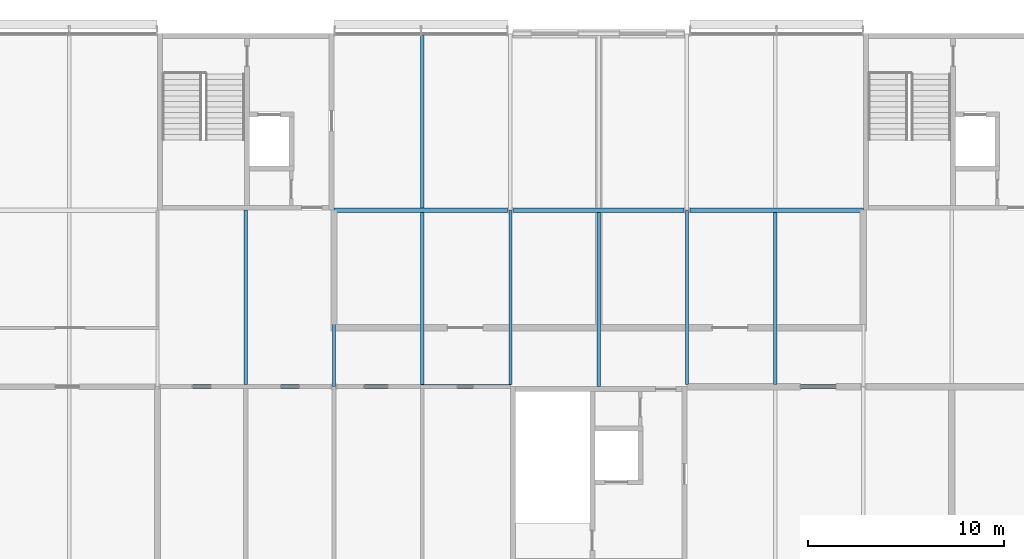
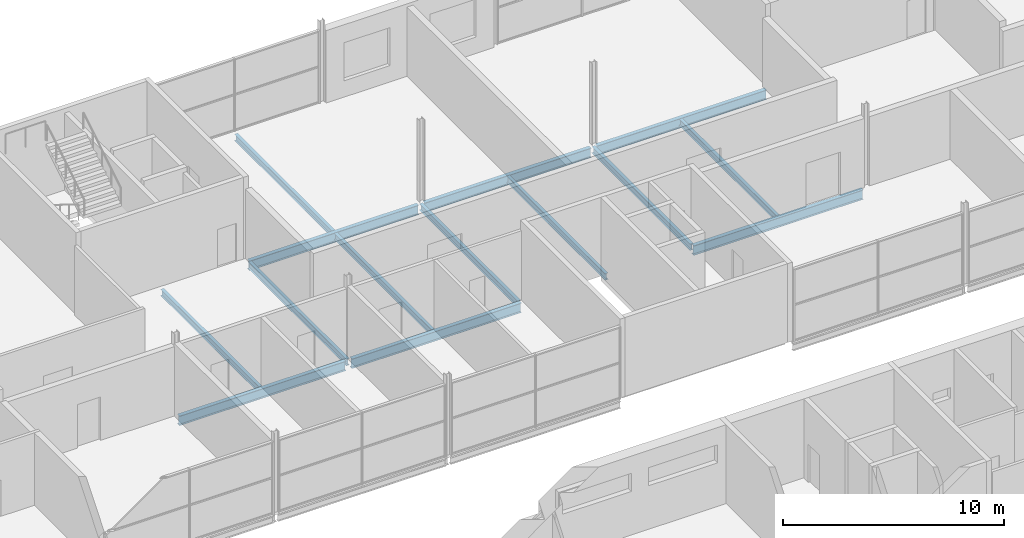
# One storey, part 70 of 138: 14 beams.
"""IFC4 building model written with IfcOpenShell, lengths in metres."""

import ifcopenshell
import ifcopenshell.guid

model = None  # the IFC model being written
_history = None  # IfcOwnerHistory: only IFC2X3 demands one
_inside = {}  # id of a spatial element -> (the spatial element, [elements in it])
_under = {}  # id of a project, library or spatial element -> (it, [spatial elements below it])
_declared = {}  # id of a project -> (the project, [libraries it declares])
_typed = {}  # id of a type object -> (the type object, [elements of that type])
_made_of = {}  # id of a material, layer set ... -> (it, [elements and type objects made of it])


def new_model(schema):
    """Start an empty IFC model of exactly this schema.

    Asked for "IFC4X3", IfcOpenShell would pick the latest addendum, in which some entities
    have other attributes; the version numbers below select the first issue.
    IFC2X3 requires an IfcOwnerHistory on every rooted entity: one is made here for all.
    """
    global model, _history
    if schema == "IFC4X3":
        model = ifcopenshell.file(schema_version=(4, 3, 0, 0))
    else:
        model = ifcopenshell.file(schema=schema)
    _inside.clear()
    _under.clear()
    _declared.clear()
    _typed.clear()
    _made_of.clear()
    _history = None
    if model.schema == "IFC2X3":
        org = make("IfcOrganization", Name="unknown")
        user = make(
            "IfcPersonAndOrganization",
            ThePerson=make("IfcPerson", FamilyName="unknown"),
            TheOrganization=org,
        )
        app = make(
            "IfcApplication",
            ApplicationDeveloper=org,
            Version="unknown",
            ApplicationFullName="unknown",
            ApplicationIdentifier="unknown",
        )
        _history = make(
            "IfcOwnerHistory",
            OwningUser=user,
            OwningApplication=app,
            ChangeAction="ADDED",
            CreationDate=0,
        )
    return model


def make(cls, **values):
    """One entity of the class cls with the attributes given. An attribute that is None is left unset."""
    return model.create_entity(
        cls, **{name: value for name, value in values.items() if value is not None}
    )


def rooted(cls, **values):
    """An entity with a GlobalId (a new one), such as an element, a storey or a relation."""
    return make(cls, GlobalId=ifcopenshell.guid.new(), OwnerHistory=_history, **values)


def si_unit(unit_type, name, prefix=None):
    """IfcSIUnit, for example si_unit("LENGTHUNIT", "METRE", prefix="MILLI")."""
    return make("IfcSIUnit", UnitType=unit_type, Prefix=prefix, Name=name)


def assignment(units):
    """IfcUnitAssignment: the units of a project."""
    return None if units is None else make("IfcUnitAssignment", Units=units)


def point(xyz):
    """IfcCartesianPoint."""
    return None if xyz is None else make("IfcCartesianPoint", Coordinates=xyz)


def direction(xyz):
    """IfcDirection."""
    return None if xyz is None else make("IfcDirection", DirectionRatios=xyz)


def frame(location, z_axis=None, x_axis=None):
    """IfcAxis2Placement3D, a coordinate frame: its origin and axes. An axis left out is left unset."""
    return make(
        "IfcAxis2Placement3D",
        Location=point(location),
        Axis=direction(z_axis),
        RefDirection=direction(x_axis),
    )


def frame_2d(location, x_axis=None):
    """IfcAxis2Placement2D, a coordinate frame in the plane: its origin and x axis."""
    return make(
        "IfcAxis2Placement2D", Location=point(location), RefDirection=direction(x_axis)
    )


def origin():
    """The frame at (0, 0, 0) with its axes left unset."""
    return frame((0.0, 0.0, 0.0))


def origin_2d():
    """The frame at (0, 0) in the plane with its x axis left unset."""
    return frame_2d((0.0, 0.0))


def place(relative_to, where):
    """IfcLocalPlacement: puts the frame where relative to a parent placement (None: the world)."""
    return make(
        "IfcLocalPlacement", PlacementRelTo=relative_to, RelativePlacement=where
    )


def context(
    kind, dimensions, precision=None, world=None, true_north=None, identifier=None
):
    """IfcGeometricRepresentationContext, for example the 3D "Model" context."""
    return make(
        "IfcGeometricRepresentationContext",
        ContextIdentifier=identifier,
        ContextType=kind,
        CoordinateSpaceDimension=dimensions,
        Precision=precision,
        WorldCoordinateSystem=world,
        TrueNorth=true_north,
    )


def subcontext(parent, identifier, kind, view, scale=None):
    """IfcGeometricRepresentationSubContext, for example "Body" below "Model"."""
    return make(
        "IfcGeometricRepresentationSubContext",
        ContextIdentifier=identifier,
        ContextType=kind,
        ParentContext=parent,
        TargetScale=scale,
        TargetView=view,
    )


def project(units=None, contexts=None):
    """IfcProject with its units and contexts."""
    return rooted(
        "IfcProject",
        Name="project",
        RepresentationContexts=contexts,
        UnitsInContext=assignment(units),
    )


def spatial(cls, under=None, at=None, **own):
    """A site, building, storey or space (cls), placed at a placement, below another one or the project."""
    s = rooted(cls, ObjectPlacement=at, **own)
    if under is not None:
        _under.setdefault(under.id(), (under, []))[1].append(s)
    return s


def profile(cls, at=None, kind="AREA", **sizes):
    """A parametric profile (cls). Its sizes go by their IFC names, for example OverallWidth=200.0."""
    return make(cls, ProfileType=kind, Position=at, **sizes)


def i_section(**sizes):
    """IfcIShapeProfileDef."""
    return profile("IfcIShapeProfileDef", **sizes)


def extrude(swept, where, along, depth):
    """IfcExtrudedAreaSolid: the profile swept, set in the frame where, extruded along a direction by depth."""
    return make(
        "IfcExtrudedAreaSolid",
        SweptArea=swept,
        Position=where,
        ExtrudedDirection=direction(along),
        Depth=depth,
    )


def shape(context_of_items, identifier, shape_type, items):
    """IfcShapeRepresentation: the items that make up one representation, for example the "Body"."""
    return make(
        "IfcShapeRepresentation",
        ContextOfItems=context_of_items,
        RepresentationIdentifier=identifier,
        RepresentationType=shape_type,
        Items=items,
    )


def material(Name=None, Category=None):
    """IfcMaterial."""
    return make("IfcMaterial", Name=Name, Category=Category)


def material_profile(
    of_material, cross_section, Name=None, Category=None, Priority=None
):
    """IfcMaterialProfile: a cross section and its material."""
    return make(
        "IfcMaterialProfile",
        Name=Name,
        Material=of_material,
        Profile=cross_section,
        Priority=Priority,
        Category=Category,
    )


def profile_set(profiles, Name=None, composite=None):
    """IfcMaterialProfileSet."""
    return make(
        "IfcMaterialProfileSet",
        Name=Name,
        MaterialProfiles=profiles,
        CompositeProfile=composite,
    )


def made_of(thing, what):
    """Note that an element or type object is made of a material, layer set ...; save() writes the relation."""
    if what is not None:
        _made_of.setdefault(what.id(), (what, []))[1].append(thing)
    return thing


def type_object(cls, material=None, **own):
    """A type object (cls), such as IfcWallType, which elements share."""
    return made_of(rooted(cls, **own), material)


def element(
    cls,
    number,
    at=None,
    inside=None,
    cuts=None,
    type_object=None,
    material=None,
    context=None,
    identifier="Body",
    shape_type=None,
    held_by="IfcProductDefinitionShape",
    body=None,
    shapes=None,
    **own,
):
    """One element of the class cls, such as IfcWall. Its Tag is "e" and its number.

    at: its placement. inside: the storey or other place that contains it. cuts: it is an
    opening in that element (IfcRelVoidsElement). A single representation is given by context,
    identifier, shape_type and body (its items); several are given by shapes. held_by: the class
    of the entity that holds the representations. save() writes the other relations.
    """
    e = rooted(cls, Tag="e%d" % number, ObjectPlacement=at, **own)
    if body is not None:
        shapes = [shape(context, identifier, shape_type, body)]
    if shapes is not None:
        e.Representation = make(held_by, Representations=shapes)
    if inside is not None:
        _inside.setdefault(inside.id(), (inside, []))[1].append(e)
    if cuts is not None:
        rooted(
            "IfcRelVoidsElement", RelatingBuildingElement=cuts, RelatedOpeningElement=e
        )
    if type_object is not None:
        _typed.setdefault(type_object.id(), (type_object, []))[1].append(e)
    return made_of(e, material)


def aggregate(whole, parts):
    """IfcRelAggregates: a whole, such as a stair, and the parts it consists of."""
    return rooted("IfcRelAggregates", RelatingObject=whole, RelatedObjects=parts)


def save(model, path):
    """Write the relations noted so far, then the file.

    IfcRelAggregates (storeys below a building ...), IfcRelContainedInSpatialStructure (elements
    in a storey), IfcRelDefinesByType, IfcRelAssociatesMaterial and IfcRelDeclares: one each for
    every whole, place, type object, material and project.
    """
    for whole, parts in _under.values():
        aggregate(whole, parts)
    for where, things in _inside.values():
        rooted(
            "IfcRelContainedInSpatialStructure",
            RelatedElements=things,
            RelatingStructure=where,
        )
    for kind, things in _typed.values():
        rooted("IfcRelDefinesByType", RelatedObjects=things, RelatingType=kind)
    for what, things in _made_of.values():
        rooted("IfcRelAssociatesMaterial", RelatedObjects=things, RelatingMaterial=what)
    for by, libraries in _declared.values():
        rooted("IfcRelDeclares", RelatingContext=by, RelatedDefinitions=libraries)
    model.write(path)


model = new_model("IFC4")

# Units and contexts
model_context = context("Model", 3, precision=1e-05, world=origin(), true_north=direction((0.0, 1.0)))
body_context = subcontext(model_context, "Body", "Model", "MODEL_VIEW")
ifc_project = project(units=[si_unit("LENGTHUNIT", "METRE"), si_unit("AREAUNIT", "SQUARE_METRE"), si_unit("VOLUMEUNIT", "CUBIC_METRE"), si_unit("PLANEANGLEUNIT", "RADIAN"), si_unit("MASSUNIT", "GRAM", prefix="KILO")], contexts=[model_context])

# Site, building, storey
site_placement = place(None, origin())
site = spatial("IfcSite", under=ifc_project, at=site_placement, CompositionType="ELEMENT")
building_placement = place(site_placement, origin())
building = spatial("IfcBuilding", under=site, at=building_placement, Name="Corbel Yard City Hall", CompositionType="ELEMENT")
storey_placement = place(building_placement, frame((0.0, 0.0, 10.5)))
storey = spatial("IfcBuildingStorey", under=building, at=storey_placement, Name="L02", CompositionType="ELEMENT", Elevation=10.5)

# Beams
ifc_material = material(Name="Steel Grade 300 (300 MPa yield)", Category="steel")
ifc_material_profile_1 = material_profile(ifc_material, i_section(OverallWidth=0.1708984375, OverallDepth=0.35595703125, WebThickness=0.00732421875, FlangeThickness=0.011474609375, at=origin_2d()), Name="360UB50.7")
ifc_profile_set_1 = profile_set([ifc_material_profile_1], Name="Steel Grade 300 (300 MPa yield)")
beam_type_1 = type_object("IfcBeamType", Name="Beam 360UB50.7", PredefinedType="BEAM", material=ifc_profile_set_1)
for number, where, z_axis, x_axis, name in (
    (1, (72.0, 99.005859375, -0.327880859375), (0.0, 1.0, 0.0), (-1.0, 0.0, 0.0), "Beam 360UB50.7 SB14 L02floor"),
    (2, (81.0, 99.1044921875, -0.327880859375), (0.0, 1.0, 0.0), (-1.0, 0.0, 0.0), "Beam 360UB50.7 SB14 L02floor"),
    (3, (90.0, 99.1044921875, -0.327880859375), (0.0, 1.0, 0.0), (-1.0, 0.0, 0.0), "Beam 360UB50.7 SB14 L02floor"),
):
    element("IfcBeam", number, at=place(storey_placement, frame(where, z_axis=z_axis, x_axis=x_axis)), inside=storey, type_object=beam_type_1, Name=name, PredefinedType="BEAM", context=body_context, shape_type="SweptSolid", body=[
        extrude(i_section(OverallWidth=0.1708984375, OverallDepth=0.35595703125, WebThickness=0.00732421875, FlangeThickness=0.011474609375, at=origin_2d()), origin(), (0.0, 0.0, 1.0), 8.8896484375),
    ])
ifc_material_profile_2 = material_profile(ifc_material, i_section(OverallWidth=0.208984375, OverallDepth=0.528076171875, WebThickness=0.009521484375, FlangeThickness=0.01318359375, at=origin_2d()), Name="530UB82.0")
ifc_profile_set_2 = profile_set([ifc_material_profile_2], Name="Steel Grade 300 (300 MPa yield)")
beam_type_2 = type_object("IfcBeamType", Name="Girder 530UB82.0", PredefinedType="BEAM", material=ifc_profile_set_2)
beam_1_placement = place(storey_placement, frame((63.157470703125, 99.0, -0.4140625), z_axis=(1.0, 0.0, 0.0), x_axis=(0.0, 1.0, 0.0)))
element("IfcBeam", 4, at=beam_1_placement, inside=storey, type_object=beam_type_2, Name="Girder 530UB82.0 GB3 L02floor", PredefinedType="BEAM", context=body_context, shape_type="SweptSolid", body=[
    extrude(i_section(OverallWidth=0.208984375, OverallDepth=0.528076171875, WebThickness=0.009521484375, FlangeThickness=0.01318359375, at=origin_2d()), origin(), (0.0, 0.0, 1.0), 8.68505859375),
])
for number, where, z_axis, x_axis, name in (
    (5, (72.157470703125, 99.0, -0.4140625), (1.0, 0.0, 0.0), (0.0, 1.0, 0.0), "Girder 530UB82.0 GB3 L02floor"),
    (6, (90.0, 99.0, -0.4140625), (1.0, 0.0, 0.0), (0.0, 1.0, 0.0), "Girder 530UB82.0 GB3 L02floor"),
    (7, (72.0, 108.0, -0.4140625), (1.0, 0.0, 0.0), (0.0, 1.0, 0.0), "Girder 530UB82.0 GB3 L02floor"),
):
    element("IfcBeam", number, at=place(storey_placement, frame(where, z_axis=z_axis, x_axis=x_axis)), inside=storey, type_object=beam_type_2, Name=name, PredefinedType="BEAM", context=body_context, shape_type="SweptSolid", body=[
        extrude(i_section(OverallWidth=0.208984375, OverallDepth=0.528076171875, WebThickness=0.009521484375, FlangeThickness=0.01318359375, at=origin_2d()), origin(), (0.0, 0.0, 1.0), 8.842529296875),
    ])
beam_2_placement = place(storey_placement, frame((81.157470703125, 108.0, -0.4140625), z_axis=(1.0, 0.0, 0.0), x_axis=(0.0, 1.0, 0.0)))
element("IfcBeam", 8, at=beam_2_placement, inside=storey, type_object=beam_type_2, Name="Girder 530UB82.0 GB3 L02floor", PredefinedType="BEAM", context=body_context, shape_type="SweptSolid", body=[
    extrude(i_section(OverallWidth=0.208984375, OverallDepth=0.528076171875, WebThickness=0.009521484375, FlangeThickness=0.01318359375, at=origin_2d()), origin(), (0.0, 0.0, 1.0), 8.68505859375),
])
beam_3_placement = place(storey_placement, frame((90.157470703125, 108.0, -0.4140625), z_axis=(1.0, 0.0, 0.0), x_axis=(0.0, 1.0, 0.0)))
element("IfcBeam", 9, at=beam_3_placement, inside=storey, type_object=beam_type_2, Name="Girder 530UB82.0 GB3 L02floor", PredefinedType="BEAM", context=body_context, shape_type="SweptSolid", body=[
    extrude(i_section(OverallWidth=0.208984375, OverallDepth=0.528076171875, WebThickness=0.009521484375, FlangeThickness=0.01318359375, at=origin_2d()), origin(), (0.0, 0.0, 1.0), 8.842529296875),
])
ifc_material_profile_3 = material_profile(ifc_material, i_section(OverallWidth=0.1708984375, OverallDepth=0.35205078125, WebThickness=0.0068359375, FlangeThickness=0.009765625, at=origin_2d()), Name="360UB44.7")
ifc_profile_set_3 = profile_set([ifc_material_profile_3], Name="Steel Grade 300 (300 MPa yield)")
beam_type_3 = type_object("IfcBeamType", Name="Secondary beam 360UB44.7", PredefinedType="JOIST", material=ifc_profile_set_3)
for number, where, z_axis, x_axis, name in (
    (10, (76.5, 99.1044921875, -0.325927734375), (0.0, 1.0, 0.0), (-1.0, 0.0, 0.0), "Secondary beam 360UB44.7 SB11 L02floor"),
    (11, (94.5, 99.1044921875, -0.325927734375), (0.0, 1.0, 0.0), (-1.0, 0.0, 0.0), "Secondary beam 360UB44.7 SB11 L02floor"),
):
    element("IfcBeam", number, at=place(storey_placement, frame(where, z_axis=z_axis, x_axis=x_axis)), inside=storey, type_object=beam_type_3, Name=name, PredefinedType="JOIST", context=body_context, shape_type="SweptSolid", body=[
        extrude(i_section(OverallWidth=0.1708984375, OverallDepth=0.35205078125, WebThickness=0.0068359375, FlangeThickness=0.009765625, at=origin_2d()), origin(), (0.0, 0.0, 1.0), 8.791015625),
    ])
ifc_material_profile_4 = material_profile(ifc_material, i_section(OverallWidth=0.1708984375, OverallDepth=0.35595703125, WebThickness=0.00732421875, FlangeThickness=0.011474609375, at=origin_2d()), Name="360UB50.7")
ifc_profile_set_4 = profile_set([ifc_material_profile_4], Name="Steel Grade 300 (300 MPa yield)")
beam_type_4 = type_object("IfcBeamType", Name="Secondary beam 360UB50.7", PredefinedType="JOIST", material=ifc_profile_set_4)
beam_4_placement = place(storey_placement, frame((67.5, 99.1044921875, -0.327880859375), z_axis=(0.0, 1.0, 0.0), x_axis=(-1.0, 0.0, 0.0)))
element("IfcBeam", 12, at=beam_4_placement, inside=storey, type_object=beam_type_4, Name="Secondary beam 360UB50.7 SB10 L02floor", PredefinedType="JOIST", context=body_context, shape_type="SweptSolid", body=[
    extrude(i_section(OverallWidth=0.1708984375, OverallDepth=0.35595703125, WebThickness=0.00732421875, FlangeThickness=0.011474609375, at=origin_2d()), origin(), (0.0, 0.0, 1.0), 8.8955078125),
])
beam_5_placement = place(storey_placement, frame((76.5, 108.1044921875, -0.327880859375), z_axis=(0.0, 1.0, 0.0), x_axis=(-1.0, 0.0, 0.0)))
element("IfcBeam", 13, at=beam_5_placement, inside=storey, type_object=beam_type_4, Name="Secondary beam 360UB50.7 SB10 L02floor", PredefinedType="JOIST", context=body_context, shape_type="SweptSolid", body=[
    extrude(i_section(OverallWidth=0.1708984375, OverallDepth=0.35595703125, WebThickness=0.00732421875, FlangeThickness=0.011474609375, at=origin_2d()), origin(), (0.0, 0.0, 1.0), 8.8095703125),
])
beam_6_placement = place(storey_placement, frame((85.5, 99.0, -0.327880859375), z_axis=(0.0, 1.0, 0.0), x_axis=(-1.0, 0.0, 0.0)))
element("IfcBeam", 14, at=beam_6_placement, inside=storey, type_object=beam_type_4, Name="Secondary beam 360UB50.7 SB10 L02floor", PredefinedType="JOIST", context=body_context, shape_type="SweptSolid", body=[
    extrude(i_section(OverallWidth=0.1708984375, OverallDepth=0.35595703125, WebThickness=0.00732421875, FlangeThickness=0.011474609375, at=origin_2d()), origin(), (0.0, 0.0, 1.0), 8.8955078125),
])

save(model, "model.ifc")
